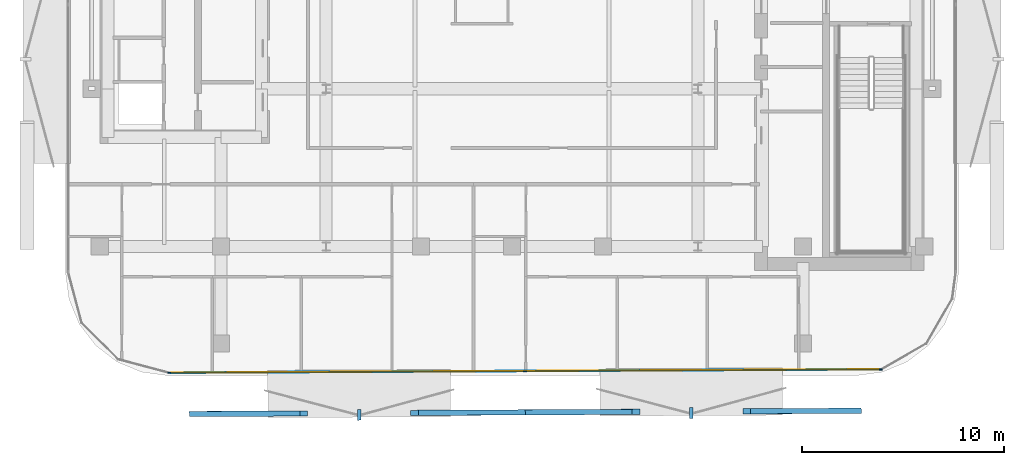
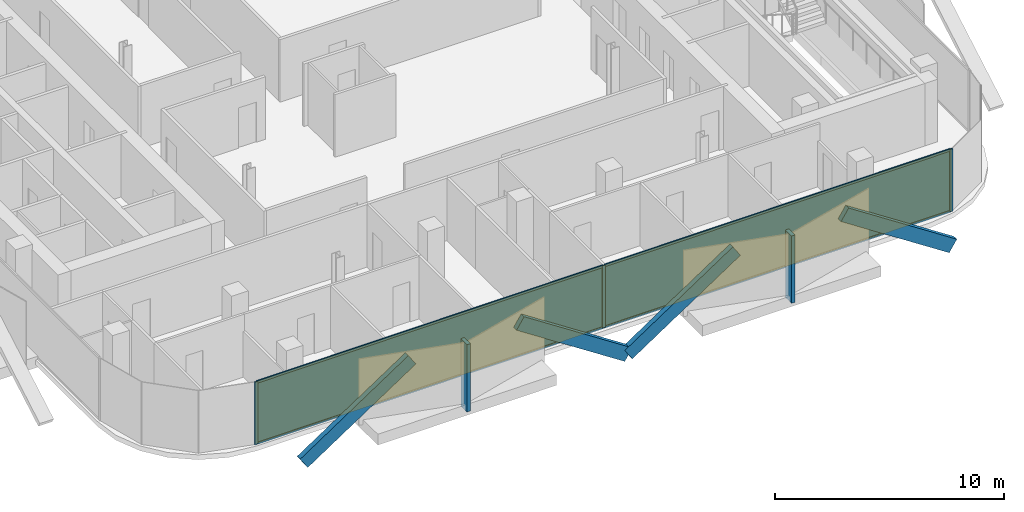
# One storey, part 8 of 14: 13 members, 2 plates, 1 curtain wall.
"""IFC4 building model written with IfcOpenShell, lengths in metres."""

from ifc_helpers import new_model, si_unit, direction, frame, frame_2d, origin, origin_2d, place, context, subcontext, project, spatial, rectangle, extrude, material, layer, layer_set, material_profile, profile_set, type_object, element, aggregate, save


model = new_model("IFC4")

# Units and contexts
model_context = context("Model", 3, precision=1e-05, world=origin(), true_north=direction((0.0, 1.0)))
body_context = subcontext(model_context, "Body", "Model", "MODEL_VIEW")
ifc_project = project(units=[si_unit("LENGTHUNIT", "METRE"), si_unit("AREAUNIT", "SQUARE_METRE"), si_unit("VOLUMEUNIT", "CUBIC_METRE"), si_unit("PLANEANGLEUNIT", "RADIAN"), si_unit("MASSUNIT", "GRAM", prefix="KILO")], contexts=[model_context])

# Member
ifc_material_1 = material(Name="Anodised Bronze Aluminium 6063-T6", Category="aluminium")
ifc_material_profile_1 = material_profile(ifc_material_1, rectangle(XDim=0.260009765625, YDim=0.699951171875, at=origin_2d()))
ifc_profile_set_1 = profile_set([ifc_material_profile_1], Name="Anodised Bronze Aluminium 6063-T6")
member_type_1 = type_object("IfcMemberType", Name="Bronze Diamond Solar-Screen Lattice Rib BDL-700", PredefinedType="MULLION", material=ifc_profile_set_1)
site_placement = place(None, origin())
building_placement = place(site_placement, origin())
storey_placement = place(building_placement, frame((0.0, 0.0, 233.199951171875)))
member_1_placement = place(storey_placement, frame((17.093505859375, -26.735595703125, -0.1298828125), z_axis=(-0.835754384021, -0.004021809628, 0.549088731114), x_axis=(-0.007495389703, 0.99996356816, -0.00408429744)))
member_1 = element("IfcMember", 1, at=member_1_placement, type_object=member_type_1, Name="L54 Bronze Diamond Solar Screen Lattice Rib 361A", PredefinedType="MULLION", context=body_context, shape_type="SweptSolid", body=[
    extrude(rectangle(XDim=0.260009765625, YDim=0.699951171875, at=origin_2d()), origin(), (0.0, 0.0, 1.0), 6.55615234375),
])

member_2_placement = place(storey_placement, frame((0.65625, -26.81494140625, -0.1298828125), z_axis=(0.835743029646, 0.004059174326, 0.549105737997), x_axis=(0.007540243864, -0.999963231165, -0.004084242836)))
member_2 = element("IfcMember", 2, at=member_2_placement, type_object=member_type_1, Name="L54 Bronze Diamond Solar Screen Lattice Rib 361B", PredefinedType="MULLION", context=body_context, shape_type="SweptSolid", body=[
    extrude(rectangle(XDim=0.260009765625, YDim=0.699951171875, at=origin_2d()), origin(), (0.0, 0.0, 1.0), 6.555908203125),
])

member_3_placement = place(storey_placement, frame((0.65625, -26.81494140625, -0.1298828125), z_axis=(-0.835754384021, -0.004021809628, 0.549088731114), x_axis=(-0.007495389703, 0.99996356816, -0.00408429744)))
member_3 = element("IfcMember", 3, at=member_3_placement, type_object=member_type_1, Name="L54 Bronze Diamond Solar Screen Lattice Rib 362A", PredefinedType="MULLION", context=body_context, shape_type="SweptSolid", body=[
    extrude(rectangle(XDim=0.260009765625, YDim=0.699951171875, at=origin_2d()), origin(), (0.0, 0.0, 1.0), 6.55615234375),
])

member_4_placement = place(storey_placement, frame((-15.781005859375, -26.894287109375, -0.1298828125), z_axis=(0.835743029646, 0.004059174326, 0.549105737997), x_axis=(0.007540243864, -0.999963231165, -0.004084242836)))
member_4 = element("IfcMember", 4, at=member_4_placement, type_object=member_type_1, Name="L54 Bronze Diamond Solar Screen Lattice Rib 362B", PredefinedType="MULLION", context=body_context, shape_type="SweptSolid", body=[
    extrude(rectangle(XDim=0.260009765625, YDim=0.699951171875, at=origin_2d()), origin(), (0.0, 0.0, 1.0), 6.555908203125),
])

ifc_material_2 = material(Name="Anodised Bronze Aluminium 6063-T6", Category="aluminium")
ifc_material_profile_2 = material_profile(ifc_material_2, rectangle(XDim=0.179931640625, YDim=0.5400390625, at=origin_2d()))
ifc_profile_set_2 = profile_set([ifc_material_profile_2], Name="Anodised Bronze Aluminium 6063-T6")
member_type_2 = type_object("IfcMemberType", Name="Bronze Solar-Screen Vertical Fold Fin BSF-540", PredefinedType="MULLION", material=ifc_profile_set_2)
member_5_placement = place(storey_placement, frame((8.875244140625, -26.855224609375, -0.1298828125), z_axis=(0.0, 0.0, 1.0), x_axis=(-0.999988059021, -0.004886902454, 0.0)))
member_5 = element("IfcMember", 5, at=member_5_placement, type_object=member_type_2, Name="L54 Bronze Solar Screen Vertical Fin 361", PredefinedType="MULLION", context=body_context, shape_type="SweptSolid", body=[
    extrude(rectangle(XDim=0.179931640625, YDim=0.5400390625, at=origin_2d()), origin(), (0.0, 0.0, 1.0), 3.599853515625),
])

member_6_placement = place(storey_placement, frame((-7.56201171875, -26.9345703125, -0.1298828125), z_axis=(0.0, 0.0, 1.0), x_axis=(-0.999988059021, -0.004886902454, 0.0)))
member_6 = element("IfcMember", 6, at=member_6_placement, type_object=member_type_2, Name="L54 Bronze Solar Screen Vertical Fin 362", PredefinedType="MULLION", context=body_context, shape_type="SweptSolid", body=[
    extrude(rectangle(XDim=0.179931640625, YDim=0.5400390625, at=origin_2d()), origin(), (0.0, 0.0, 1.0), 3.599853515625),
])

ifc_material_3 = material(Name="Anodised Bronze Aluminium 6063-T6", Category="aluminium")
ifc_material_profile_3 = material_profile(ifc_material_3, rectangle(XDim=0.06005859375, YDim=0.159912109375, at=origin_2d()))
ifc_profile_set_3 = profile_set([ifc_material_profile_3], Name="Anodised Bronze Aluminium 6063-T6")
member_type_3 = type_object("IfcMemberType", Name="CW-Z4 Mullion 60x160", PredefinedType="MULLION", material=ifc_profile_set_3)
member_7_placement = place(storey_placement, frame((18.25341796875, -24.68994140625, 0.0), z_axis=(0.0, 0.0, 1.0), x_axis=(0.004824986425, -0.999988359685, 0.0)))
member_7 = element("IfcMember", 7, at=member_7_placement, type_object=member_type_3, Name="CW-Z4 mullion 1", PredefinedType="MULLION", context=body_context, shape_type="SweptSolid", body=[
    extrude(rectangle(XDim=0.06005859375, YDim=0.159912109375, at=origin_2d()), origin(), (0.0, 0.0, 1.0), 3.340087890625),
])

member_8_placement = place(storey_placement, frame((0.646240234375, -24.77490234375, 0.0), z_axis=(0.0, 0.0, 1.0), x_axis=(0.004824986425, -0.999988359685, 0.0)))
member_8 = element("IfcMember", 8, at=member_8_placement, type_object=member_type_3, Name="CW-Z4 mullion 2", PredefinedType="MULLION", context=body_context, shape_type="SweptSolid", body=[
    extrude(rectangle(XDim=0.06005859375, YDim=0.159912109375, at=origin_2d()), origin(), (0.0, 0.0, 1.0), 3.340087890625),
])

member_9_placement = place(storey_placement, frame((-16.960693359375, -24.85986328125, 0.0), z_axis=(0.0, 0.0, 1.0), x_axis=(0.004824986425, -0.999988359685, 0.0)))
member_9 = element("IfcMember", 9, at=member_9_placement, type_object=member_type_3, Name="CW-Z4 mullion 3", PredefinedType="MULLION", context=body_context, shape_type="SweptSolid", body=[
    extrude(rectangle(XDim=0.06005859375, YDim=0.159912109375, at=origin_2d()), origin(), (0.0, 0.0, 1.0), 3.340087890625),
])

ifc_material_4 = material(Name="Anodised Bronze Aluminium 6063-T6", Category="aluminium")
ifc_material_profile_4 = material_profile(ifc_material_4, rectangle(XDim=0.06005859375, YDim=0.125, at=origin_2d()))
ifc_profile_set_4 = profile_set([ifc_material_profile_4], Name="Anodised Bronze Aluminium 6063-T6")
member_type_4 = type_object("IfcMemberType", Name="CW-Z4 Transom 60x125", PredefinedType="USERDEFINED", material=ifc_profile_set_4)
member_10_placement = place(storey_placement, frame((18.223388671875, -24.690185546875, 0.030029296875), z_axis=(-0.999988412677, -0.004813991218, 0.0), x_axis=(0.004813991218, -0.999988412677, 0.0)))
member_10 = element("IfcMember", 10, at=member_10_placement, type_object=member_type_4, Name="CW-Z4 transom 1.1", ObjectType="TRANSOM", PredefinedType="USERDEFINED", context=body_context, shape_type="SweptSolid", body=[
    extrude(rectangle(XDim=0.06005859375, YDim=0.125, at=origin_2d()), origin(), (0.0, 0.0, 1.0), 17.54736328125),
])

member_11_placement = place(storey_placement, frame((18.223388671875, -24.690185546875, 3.31005859375), z_axis=(-0.999988412677, -0.004813991218, 0.0), x_axis=(0.004813991218, -0.999988412677, 0.0)))
member_11 = element("IfcMember", 11, at=member_11_placement, type_object=member_type_4, Name="CW-Z4 transom 1.2", ObjectType="TRANSOM", PredefinedType="USERDEFINED", context=body_context, shape_type="SweptSolid", body=[
    extrude(rectangle(XDim=0.06005859375, YDim=0.125, at=origin_2d()), origin(), (0.0, 0.0, 1.0), 17.54736328125),
])

member_12_placement = place(storey_placement, frame((0.616455078125, -24.775146484375, 0.030029296875), z_axis=(-0.999988413, -0.004813924241, 0.0), x_axis=(0.004813924241, -0.999988413, 0.0)))
member_12 = element("IfcMember", 12, at=member_12_placement, type_object=member_type_4, Name="CW-Z4 transom 2.1", ObjectType="TRANSOM", PredefinedType="USERDEFINED", context=body_context, shape_type="SweptSolid", body=[
    extrude(rectangle(XDim=0.06005859375, YDim=0.125, at=origin_2d()), origin(), (0.0, 0.0, 1.0), 17.547607421875),
])

member_13_placement = place(storey_placement, frame((0.616455078125, -24.775146484375, 3.31005859375), z_axis=(-0.999988413, -0.004813924241, 0.0), x_axis=(0.004813924241, -0.999988413, 0.0)))
member_13 = element("IfcMember", 13, at=member_13_placement, type_object=member_type_4, Name="CW-Z4 transom 2.2", ObjectType="TRANSOM", PredefinedType="USERDEFINED", context=body_context, shape_type="SweptSolid", body=[
    extrude(rectangle(XDim=0.06005859375, YDim=0.125, at=origin_2d()), origin(), (0.0, 0.0, 1.0), 17.547607421875),
])

# Plate
ifc_material_5 = material(Name="Low-E Solar Control Laminated Glass", Category="glass")
ifc_layer_1 = layer(ifc_material_5, 0.030029296875, Name="Low-E Solar Control Laminated Glass")
ifc_layer_set_1 = layer_set([ifc_layer_1], Name="Low-E Solar Control Laminated Glass")
plate_type = type_object("IfcPlateType", Name="CW-Z4 Low-E Double Glazed Panel 30mm", PredefinedType="CURTAIN_PANEL", material=ifc_layer_set_1)
plate_1_placement = place(storey_placement, frame((9.449951171875, -24.732421875, 0.06005859375), z_axis=(0.0, 0.0, 1.0), x_axis=(-0.999988359685, -0.004824986425, 0.0)))
plate_1 = element("IfcPlate", 14, at=plate_1_placement, type_object=plate_type, Name="CW-Z4 panel 1.1", PredefinedType="CURTAIN_PANEL", context=body_context, shape_type="SweptSolid", body=[
    extrude(rectangle(XDim=17.54736328125, YDim=0.030029296875, at=origin_2d()), origin(), (0.0, 0.0, 1.0), 3.219970703125),
])

plate_2_placement = place(storey_placement, frame((-8.1572265625, -24.8173828125, 0.06005859375), z_axis=(0.0, 0.0, 1.0), x_axis=(-0.999988359685, -0.004824986425, 0.0)))
plate_2 = element("IfcPlate", 15, at=plate_2_placement, type_object=plate_type, Name="CW-Z4 panel 2.1", PredefinedType="CURTAIN_PANEL", context=body_context, shape_type="SweptSolid", body=[
    extrude(rectangle(XDim=17.54736328125, YDim=0.030029296875, at=origin_2d()), origin(), (0.0, 0.0, 1.0), 3.219970703125),
])

# Site, building, storey
site = spatial("IfcSite", under=ifc_project, at=site_placement, CompositionType="ELEMENT")
building = spatial("IfcBuilding", under=site, at=building_placement, Name="Khairoan Windgate Tower", CompositionType="ELEMENT")
storey = spatial("IfcBuildingStorey", under=building, at=storey_placement, Name="L54", CompositionType="ELEMENT", Elevation=233.199951171875)

# Curtain wall
ifc_material_6 = material(Name="Anodised Bronze Aluminium 6063-T6", Category="aluminium")
ifc_layer_2 = layer(ifc_material_6, 0.159912109375, Name="Anodised Bronze Aluminium 6063-T6")
ifc_layer_set_2 = layer_set([ifc_layer_2], Name="Anodised Bronze Aluminium 6063-T6")
curtain_wall_type = type_object("IfcCurtainWallType", Name="Sky Residence Unitised Curtain Wall CW-Z4", PredefinedType="NOTDEFINED", material=ifc_layer_set_2)
curtain_wall_placement = place(storey_placement, frame((18.283447265625, -24.689697265625, 0.0), z_axis=(0.0, 0.0, 1.0), x_axis=(-0.999988330836, -0.004830961808, 0.0)))
curtain_wall = element("IfcCurtainWall", 16, at=curtain_wall_placement, inside=storey, type_object=curtain_wall_type, Name="L54 Unitised Curtain Wall 1", PredefinedType="NOTDEFINED", context=body_context, shape_type="SweptSolid", body=[
    extrude(rectangle(XDim=35.274658203125, YDim=0.010009765625, at=frame_2d((17.63720703125, 0.0))), origin(), (0.0, 0.0, 1.0), 3.340087890625),
])

aggregate(curtain_wall, [member_7, member_8, member_9, member_10, member_11, plate_1, member_12, member_13, plate_2, member_1, member_2, member_5, member_3, member_4, member_6])

save(model, "model.ifc")
